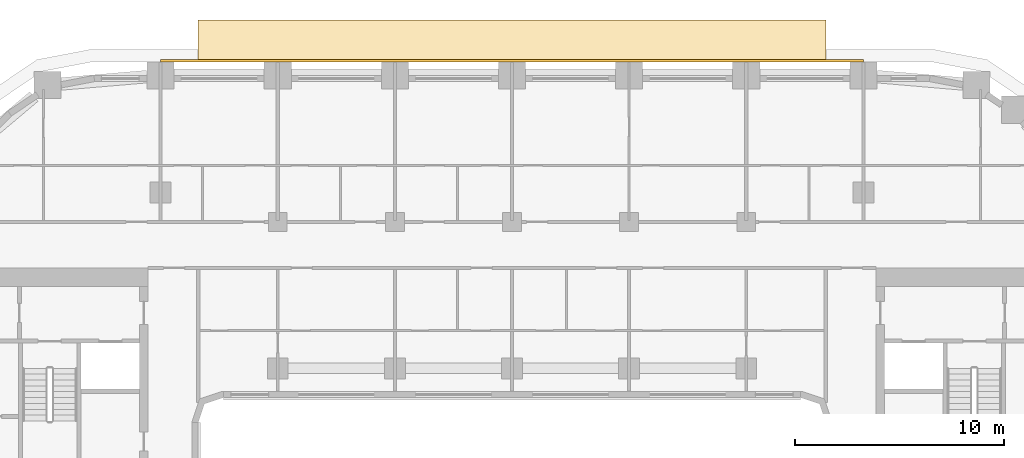
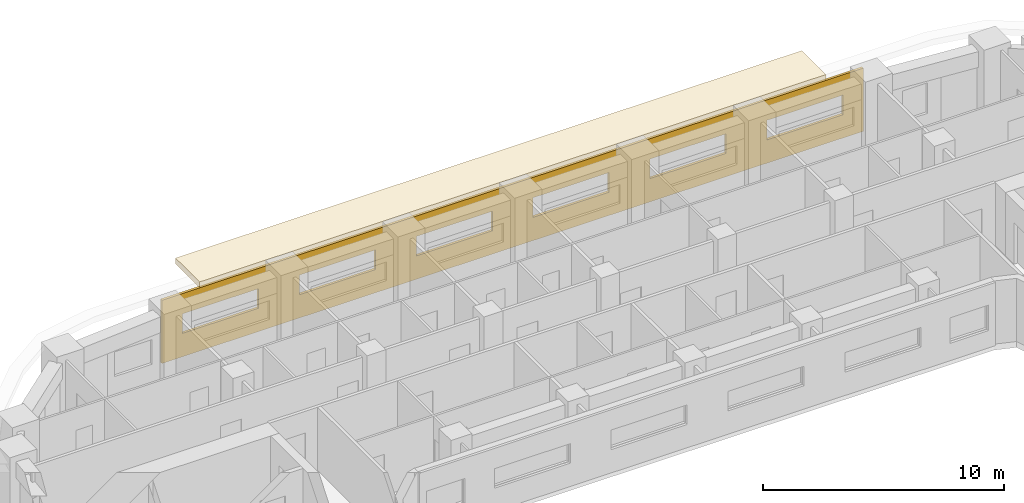
# One storey, part 20 of 21: 2 coverings.
"""IFC4 building model written with IfcOpenShell, lengths in metres."""

from ifc_helpers import new_model, si_unit, direction, frame, origin, place, context, subcontext, project, spatial, polyline, outline, extrude, material, layer, layer_set, type_object, element, save


model = new_model("IFC4")

# Units and contexts
model_context = context("Model", 3, precision=1e-05, world=origin(), true_north=direction((0.0, 1.0)))
body_context = subcontext(model_context, "Body", "Model", "MODEL_VIEW")
ifc_project = project(units=[si_unit("LENGTHUNIT", "METRE"), si_unit("AREAUNIT", "SQUARE_METRE"), si_unit("VOLUMEUNIT", "CUBIC_METRE"), si_unit("PLANEANGLEUNIT", "RADIAN"), si_unit("MASSUNIT", "GRAM", prefix="KILO")], contexts=[model_context])

# Site, building, storey
site_placement = place(None, origin())
site = spatial("IfcSite", under=ifc_project, at=site_placement, CompositionType="ELEMENT")
building_placement = place(site_placement, origin())
building = spatial("IfcBuilding", under=site, at=building_placement, Name="Kiln Ring Residences", CompositionType="ELEMENT")
storey_placement = place(building_placement, frame((0.0, 0.0, 93.800048828125)))
storey = spatial("IfcBuildingStorey", under=building, at=storey_placement, Name="L23", CompositionType="ELEMENT", Elevation=93.800048828125)

# Coverings
ifc_material_1 = material(Name="Brick masonry, dark clay brick", Category="masonry")
ifc_layer_1 = layer(ifc_material_1, 0.1201171875)
ifc_layer_set_1 = layer_set([ifc_layer_1], Name="RAINSCREEN PANEL 120")
covering_type_1 = type_object("IfcCoveringType", Name="RAINSCREEN PANEL 120", PredefinedType="CLADDING", material=ifc_layer_set_1)
covering_1_placement = place(storey_placement, frame((16.800048828125, 23.110107421875, 0.0), z_axis=(0.0, 0.0, 1.0), x_axis=(-1.0, 0.0, 0.0)))
element("IfcCovering", 1, at=covering_1_placement, inside=storey, type_object=covering_type_1, Name="RAINSCREEN L23", PredefinedType="CLADDING", context=body_context, shape_type="SweptSolid", body=[
    extrude(outline(polyline([(0.0, 0.0), (33.60009765625, 0.0), (33.60009765625, 3.199951171875), (0.0, 3.199951171875), (0.0, 0.0)]), holes=[polyline([(4.6201171875, 1.179931640625), (4.6201171875, 2.169921875), (0.97998046875, 2.169921875), (0.97998046875, 1.179931640625), (4.6201171875, 1.179931640625)]), polyline([(6.580078125, 1.179931640625), (10.219970703125, 1.179931640625), (10.219970703125, 2.169921875), (6.580078125, 2.169921875), (6.580078125, 1.179931640625)]), polyline([(12.179931640625, 1.179931640625), (15.820068359375, 1.179931640625), (15.820068359375, 2.169921875), (12.179931640625, 2.169921875), (12.179931640625, 1.179931640625)]), polyline([(21.419921875, 1.179931640625), (21.419921875, 2.169921875), (17.780029296875, 2.169921875), (17.780029296875, 1.179931640625), (21.419921875, 1.179931640625)]), polyline([(23.3798828125, 1.179931640625), (27.02001953125, 1.179931640625), (27.02001953125, 2.169921875), (23.3798828125, 2.169921875), (23.3798828125, 1.179931640625)]), polyline([(28.97998046875, 1.179931640625), (32.6201171875, 1.179931640625), (32.6201171875, 2.169921875), (28.97998046875, 2.169921875), (28.97998046875, 1.179931640625)])]), frame((0.0, 0.06005859375, 0.0), z_axis=(0.0, -1.0, 0.0), x_axis=(1.0, 0.0, 0.0)), (0.0, 0.0, 1.0), 0.1201171875),
])
ifc_material_2 = material(Name="Black powder-coated steel", Category="steel")
ifc_layer_2 = layer(ifc_material_2, 0.300048828125)
ifc_layer_set_2 = layer_set([ifc_layer_2], Name="SUNSHADE BAND 2000")
covering_type_2 = type_object("IfcCoveringType", Name="SUNSHADE BAND 2000", PredefinedType="CLADDING", material=ifc_layer_set_2)
covering_2_placement = place(storey_placement, frame((0.0, 0.0, 3.199951171875)))
element("IfcCovering", 2, at=covering_2_placement, inside=storey, type_object=covering_type_2, Name="SUNSHADE BAND L23", PredefinedType="CLADDING", context=body_context, shape_type="SweptSolid", body=[
    extrude(outline(polyline([(15.0, 25.050048828125), (-15.0, 25.050048828125), (-15.0, 23.050048828125), (15.0, 23.050048828125), (15.0, 25.050048828125)])), origin(), (0.0, 0.0, 1.0), 0.300048828125),
])

save(model, "model.ifc")
